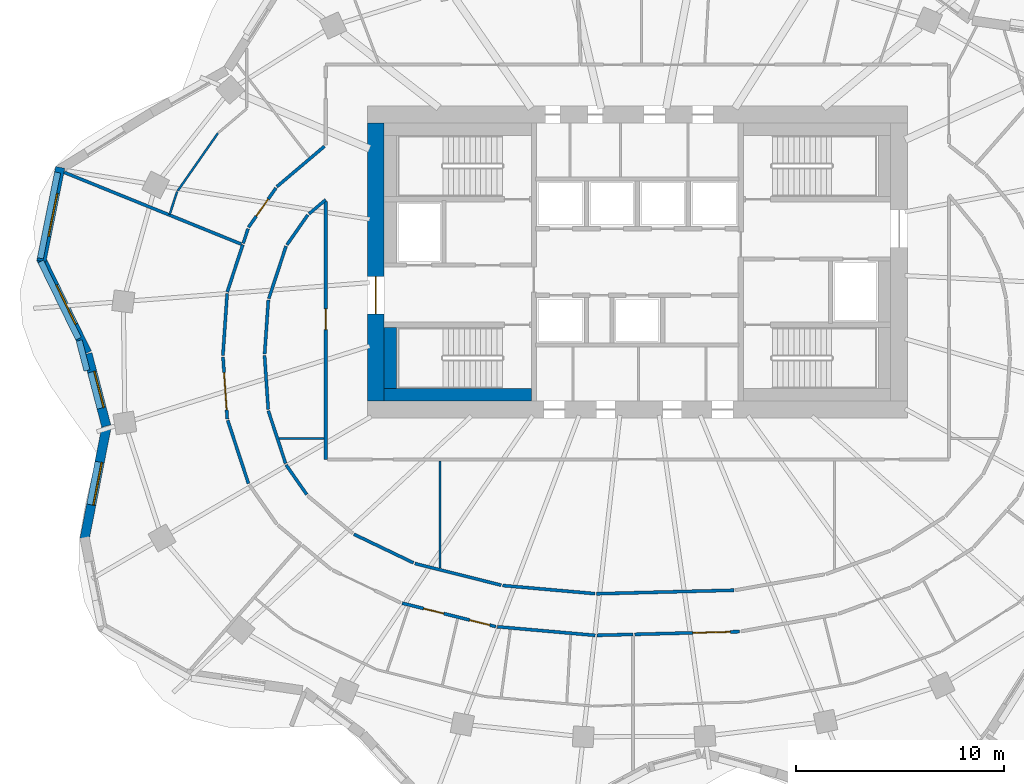
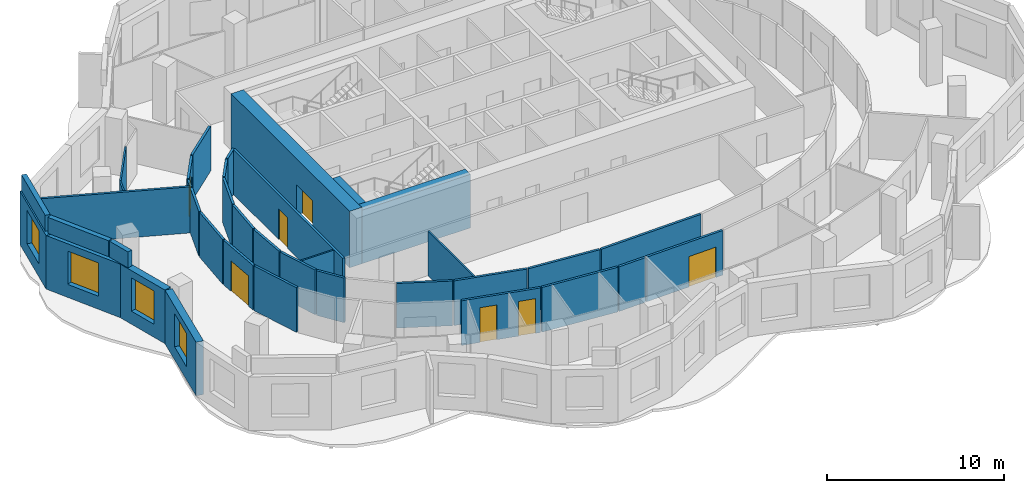
# One storey, part 4 of 11: 38 walls, 7 doors, 4 windows, 11 openings.
"""IFC4 building model written with IfcOpenShell, lengths in metres."""

from ifc_helpers import new_model, si_unit, direction, frame, frame_2d, origin, place, context, subcontext, project, spatial, rectangle, extrude, material, layer, layer_set, type_object, element, fill, save


model = new_model("IFC4")

# Units and contexts
model_context = context("Model", 3, precision=1e-05, world=origin(), true_north=direction((0.0, 1.0)))
body_context = subcontext(model_context, "Body", "Model", "MODEL_VIEW")
ifc_project = project(units=[si_unit("LENGTHUNIT", "METRE"), si_unit("AREAUNIT", "SQUARE_METRE"), si_unit("VOLUMEUNIT", "CUBIC_METRE"), si_unit("PLANEANGLEUNIT", "RADIAN"), si_unit("MASSUNIT", "GRAM", prefix="KILO")], contexts=[model_context])

# Site, building, storey
site_placement = place(None, origin())
site = spatial("IfcSite", under=ifc_project, at=site_placement, CompositionType="ELEMENT")
building_placement = place(site_placement, origin())
building = spatial("IfcBuilding", under=site, at=building_placement, Name="Rubra Terraces Tower", CompositionType="ELEMENT")
storey_placement = place(building_placement, frame((0.0, 0.0, 237.0)))
storey = spatial("IfcBuildingStorey", under=building, at=storey_placement, Name="L58", CompositionType="ELEMENT", Elevation=237.0)

# Wall, opening, window
ifc_material_1 = material(Name="Brick masonry red-brown", Category="masonry")
ifc_layer_1 = layer(ifc_material_1, 0.449951171875)
ifc_layer_set_1 = layer_set([ifc_layer_1], Name="Brick masonry red-brown")
wall_type_1 = type_object("IfcWallType", Name="Brick facade wall 450", PredefinedType="SOLIDWALL", material=ifc_layer_set_1)
wall_1_placement = place(storey_placement, frame((-27.779541015625, 9.053466796875, 0.0), z_axis=(0.0, 0.0, 1.0), x_axis=(-0.197796229105, -0.980243159503, 0.0)))
wall_1 = element("IfcWall", 1, at=wall_1_placement, inside=storey, type_object=wall_type_1, Name="Facade wall L58 bay 19", PredefinedType="SOLIDWALL", context=body_context, shape_type="SweptSolid", body=[
    extrude(rectangle(XDim=4.610107421875, YDim=0.449951171875, at=frame_2d((2.30517578125, 0.0))), origin(), (0.0, 0.0, 1.0), 3.699951171875),
])
opening_1_placement = place(wall_1_placement, frame((1.255126953125, 0.0, 0.89990234375)))
opening_1 = element("IfcOpeningElement", 2, at=opening_1_placement, cuts=wall_1, Name="Opening W1B", PredefinedType="OPENING", context=body_context, shape_type="SweptSolid", body=[
    extrude(rectangle(XDim=2.10009765625, YDim=2.300048828125, at=frame_2d((1.050048828125, 1.14990234375))), frame((0.0, 0.23486328125, 0.0), z_axis=(0.0, -1.0, 0.0), x_axis=(1.0, 0.0, 0.0)), (0.0, 0.0, 1.0), 0.469970703125),
])
ifc_material_2 = material(Name="Clear glass in aluminium frame", Category="aluminium")
window_type_1 = type_object("IfcWindowType", Name="Fixed deep-set window tall storey 2100 x 2300", PartitioningType="SINGLE_PANEL", PredefinedType="WINDOW", material=ifc_material_2)
window_1_placement = place(opening_1_placement, origin())
window_1 = element("IfcWindow", 3, at=window_1_placement, inside=storey, type_object=window_type_1, Name="Window L58 bay 19", OverallHeight=2.300048828125, OverallWidth=2.10009765625, PartitioningType="SINGLE_PANEL", PredefinedType="WINDOW", context=body_context, shape_type="SweptSolid", body=[
    extrude(rectangle(XDim=2.10009765625, YDim=2.300048828125, at=frame_2d((1.050048828125, 1.14990234375))), frame((0.0, 0.135009765625, 0.0), z_axis=(0.0, -1.0, 0.0), x_axis=(1.0, 0.0, 0.0)), (0.0, 0.0, 1.0), 0.06005859375),
])
fill(opening_1, window_1)

wall_2_placement = place(storey_placement, frame((-28.70703125, 4.672119140625, 0.0), z_axis=(0.0, 0.0, 1.0), x_axis=(0.439053549989, -0.898460895221, 0.0)))
wall_2 = element("IfcWall", 4, at=wall_2_placement, inside=storey, type_object=wall_type_1, Name="Facade wall L58 bay 20", PredefinedType="SOLIDWALL", context=body_context, shape_type="SweptSolid", body=[
    extrude(rectangle(XDim=5.061767578125, YDim=0.449951171875, at=frame_2d((2.53076171875, 0.0))), origin(), (0.0, 0.0, 1.0), 3.699951171875),
])
opening_2_placement = place(wall_2_placement, frame((1.48095703125, 0.0, 0.89990234375)))
opening_2 = element("IfcOpeningElement", 5, at=opening_2_placement, cuts=wall_2, Name="Opening W1B", PredefinedType="OPENING", context=body_context, shape_type="SweptSolid", body=[
    extrude(rectangle(XDim=2.10009765625, YDim=2.300048828125, at=frame_2d((1.050048828125, 1.14990234375))), frame((0.0, 0.23486328125, 0.0), z_axis=(0.0, -1.0, 0.0), x_axis=(1.0, 0.0, 0.0)), (0.0, 0.0, 1.0), 0.469970703125),
])
window_2_placement = place(opening_2_placement, origin())
window_2 = element("IfcWindow", 6, at=window_2_placement, inside=storey, type_object=window_type_1, Name="Window L58 bay 20", OverallHeight=2.300048828125, OverallWidth=2.10009765625, PartitioningType="SINGLE_PANEL", PredefinedType="WINDOW", context=body_context, shape_type="SweptSolid", body=[
    extrude(rectangle(XDim=2.10009765625, YDim=2.300048828125, at=frame_2d((1.050048828125, 1.14990234375))), frame((0.0, 0.135009765625, 0.0), z_axis=(0.0, -1.0, 0.0), x_axis=(1.0, 0.0, 0.0)), (0.0, 0.0, 1.0), 0.06005859375),
])
fill(opening_2, window_2)

wall_3_placement = place(storey_placement, frame((-26.469482421875, 0.0791015625, 0.0), z_axis=(0.0, 0.0, 1.0), x_axis=(0.252446779859, -0.967610780913, 0.0)))
wall_3 = element("IfcWall", 7, at=wall_3_placement, inside=storey, type_object=wall_type_1, Name="Facade wall L58 bay 21", PredefinedType="SOLIDWALL", context=body_context, shape_type="SweptSolid", body=[
    extrude(rectangle(XDim=3.5947265625, YDim=0.449951171875, at=frame_2d((1.79736328125, 0.0))), origin(), (0.0, 0.0, 1.0), 3.699951171875),
])
opening_3_placement = place(wall_3_placement, frame((0.897216796875, 0.0, 0.89990234375)))
opening_3 = element("IfcOpeningElement", 8, at=opening_3_placement, cuts=wall_3, Name="Opening W6B", PredefinedType="OPENING", context=body_context, shape_type="SweptSolid", body=[
    extrude(rectangle(XDim=1.800048828125, YDim=2.300048828125, at=frame_2d((0.89990234375, 1.14990234375))), frame((0.0, 0.23486328125, 0.0), z_axis=(0.0, -1.0, 0.0), x_axis=(1.0, 0.0, 0.0)), (0.0, 0.0, 1.0), 0.469970703125),
])
window_type_2 = type_object("IfcWindowType", Name="Fixed deep-set window at wind fin tall storey 1800 x 2300", PartitioningType="SINGLE_PANEL", PredefinedType="WINDOW", material=ifc_material_2)
window_3_placement = place(opening_3_placement, origin())
window_3 = element("IfcWindow", 9, at=window_3_placement, inside=storey, type_object=window_type_2, Name="Window L58 bay 21", OverallHeight=2.300048828125, OverallWidth=1.800048828125, PartitioningType="SINGLE_PANEL", PredefinedType="WINDOW", context=body_context, shape_type="SweptSolid", body=[
    extrude(rectangle(XDim=1.800048828125, YDim=2.300048828125, at=frame_2d((0.89990234375, 1.14990234375))), frame((0.0, 0.135009765625, 0.0), z_axis=(0.0, -1.0, 0.0), x_axis=(1.0, 0.0, 0.0)), (0.0, 0.0, 1.0), 0.06005859375),
])
fill(opening_3, window_3)

wall_4_placement = place(storey_placement, frame((-25.561279296875, -3.490478515625, 0.0), z_axis=(0.0, 0.0, 1.0), x_axis=(-0.192494026297, -0.981298145234, 0.0)))
wall_4 = element("IfcWall", 10, at=wall_4_placement, inside=storey, type_object=wall_type_1, Name="Facade wall L58 bay 22", PredefinedType="SOLIDWALL", context=body_context, shape_type="SweptSolid", body=[
    extrude(rectangle(XDim=5.446044921875, YDim=0.449951171875, at=frame_2d((2.72314453125, 0.0))), origin(), (0.0, 0.0, 1.0), 3.699951171875),
])
opening_4_placement = place(wall_4_placement, frame((1.673095703125, 0.0, 0.89990234375)))
opening_4 = element("IfcOpeningElement", 11, at=opening_4_placement, cuts=wall_4, Name="Opening W1B", PredefinedType="OPENING", context=body_context, shape_type="SweptSolid", body=[
    extrude(rectangle(XDim=2.10009765625, YDim=2.300048828125, at=frame_2d((1.050048828125, 1.14990234375))), frame((0.0, 0.23486328125, 0.0), z_axis=(0.0, -1.0, 0.0), x_axis=(1.0, 0.0, 0.0)), (0.0, 0.0, 1.0), 0.469970703125),
])
window_4_placement = place(opening_4_placement, origin())
window_4 = element("IfcWindow", 12, at=window_4_placement, inside=storey, type_object=window_type_1, Name="Window L58 bay 22", OverallHeight=2.300048828125, OverallWidth=2.10009765625, PartitioningType="SINGLE_PANEL", PredefinedType="WINDOW", context=body_context, shape_type="SweptSolid", body=[
    extrude(rectangle(XDim=2.10009765625, YDim=2.300048828125, at=frame_2d((1.050048828125, 1.14990234375))), frame((0.0, 0.135009765625, 0.0), z_axis=(0.0, -1.0, 0.0), x_axis=(1.0, 0.0, 0.0)), (0.0, 0.0, 1.0), 0.06005859375),
])
fill(opening_4, window_4)

# Walls
ifc_layer_2 = layer(ifc_material_1, 0.300048828125)
ifc_layer_set_2 = layer_set([ifc_layer_2], Name="Brick masonry red-brown")
wall_type_2 = type_object("IfcWallType", Name="Brick parapet 300", PredefinedType="PARAPET", material=ifc_layer_set_2)
wall_5_placement = place(storey_placement, frame((-27.90478515625, 8.8115234375, 3.89990234375), z_axis=(0.0, 0.0, 1.0), x_axis=(-0.197841673862, -0.980233988435, 0.0)))
element("IfcWall", 13, at=wall_5_placement, inside=storey, type_object=wall_type_2, Name="Parapet L58 bay 19", PredefinedType="PARAPET", context=body_context, shape_type="SweptSolid", body=[
    extrude(rectangle(XDim=4.216552734375, YDim=0.300048828125, at=frame_2d((2.1083984375, 0.0))), origin(), (0.0, 0.0, 1.0), 1.10009765625),
])
wall_6_placement = place(storey_placement, frame((-28.719482421875, 4.5263671875, 3.89990234375), z_axis=(0.0, 0.0, 1.0), x_axis=(0.439134033243, -0.898421560765, 0.0)))
element("IfcWall", 14, at=wall_6_placement, inside=storey, type_object=wall_type_2, Name="Parapet L58 bay 20", PredefinedType="PARAPET", context=body_context, shape_type="SweptSolid", body=[
    extrude(rectangle(XDim=4.14306640625, YDim=0.300048828125, at=frame_2d((2.071533203125, 0.0))), origin(), (0.0, 0.0, 1.0), 1.10009765625),
])
wall_7_placement = place(storey_placement, frame((-26.869140625, 0.72021484375, 3.89990234375), z_axis=(0.0, 0.0, 1.0), x_axis=(0.252455198803, -0.967608584396, 0.0)))
element("IfcWall", 15, at=wall_7_placement, inside=storey, type_object=wall_type_2, Name="Parapet L58 bay 21", PredefinedType="PARAPET", context=body_context, shape_type="SweptSolid", body=[
    extrude(rectangle(XDim=1.4921875, YDim=0.300048828125, at=frame_2d((0.74609375, 0.0))), origin(), (0.0, 0.0, 1.0), 1.10009765625),
])

# Wall, opening, door
ifc_material_3 = material(Name="Concrete C50", Category="concrete")
ifc_layer_3 = layer(ifc_material_3, 0.800048828125)
ifc_layer_set_3 = layer_set([ifc_layer_3], Name="Concrete C50")
wall_type_3 = type_object("IfcWallType", Name="CORE WALL 800 C50", PredefinedType="SHEAR", material=ifc_layer_set_3)
wall_8_placement = place(storey_placement, frame((-12.60009765625, -2.199951171875, 0.0), z_axis=(0.0, 0.0, 1.0), x_axis=(0.0, 1.0, 0.0)))
wall_8 = element("IfcWall", 16, at=wall_8_placement, inside=storey, type_object=wall_type_3, Name="CORE WALL W L58", PredefinedType="SHEAR", context=body_context, shape_type="SweptSolid", body=[
    extrude(rectangle(XDim=13.39990234375, YDim=0.800048828125, at=frame_2d((6.699951171875, 0.0))), origin(), (0.0, 0.0, 1.0), 3.89990234375),
])
opening_5_placement = place(wall_8_placement, frame((4.199951171875, 0.0, 0.0)))
opening_5 = element("IfcOpeningElement", 17, at=opening_5_placement, cuts=wall_8, Name="Opening L58.C01", PredefinedType="OPENING", context=body_context, shape_type="SweptSolid", body=[
    extrude(rectangle(XDim=1.800048828125, YDim=2.10009765625, at=frame_2d((0.89990234375, 1.050048828125))), frame((0.0, 0.409912109375, 0.0), z_axis=(0.0, -1.0, 0.0), x_axis=(1.0, 0.0, 0.0)), (0.0, 0.0, 1.0), 0.820068359375),
])
ifc_material_4 = material(Name="Painted steel", Category="steel")
door_type_1 = type_object("IfcDoorType", Name="Fire door 1800x2100 double", OperationType="NOTDEFINED", PredefinedType="DOOR", material=ifc_material_4)
door_1_placement = place(opening_5_placement, origin())
door_1 = element("IfcDoor", 18, at=door_1_placement, inside=storey, type_object=door_type_1, Name="Core entrance door FF1", OperationType="DOUBLE_DOOR_SINGLE_SWING", OverallHeight=2.10009765625, OverallWidth=1.800048828125, PredefinedType="DOOR", context=body_context, shape_type="SweptSolid", body=[
    extrude(rectangle(XDim=1.800048828125, YDim=2.10009765625, at=frame_2d((0.89990234375, 1.050048828125))), frame((0.0, 0.02490234375, 0.0), z_axis=(0.0, -1.0, 0.0), x_axis=(1.0, 0.0, 0.0)), (0.0, 0.0, 1.0), 0.050048828125),
])
fill(opening_5, door_1)

# Walls
ifc_material_5 = material(Name="Plasterboard on steel stud, mineral wool infill", Category="steel")
ifc_layer_4 = layer(ifc_material_5, 0.14990234375)
ifc_layer_set_4 = layer_set([ifc_layer_4], Name="Plasterboard on steel stud, mineral wool infill")
wall_type_4 = type_object("IfcWallType", Name="CORRIDOR PARTITION 150", PredefinedType="PARTITIONING", material=ifc_layer_set_4)
wall_9_placement = place(storey_placement, frame((-18.992431640625, 5.330810546875, 0.0), z_axis=(0.0, 0.0, 1.0), x_axis=(-0.311856589449, -0.950129184699, 0.0)))
element("IfcWall", 19, at=wall_9_placement, inside=storey, type_object=wall_type_4, Name="PARTITION", PredefinedType="PARTITIONING", context=body_context, shape_type="SweptSolid", body=[
    extrude(rectangle(XDim=2.39794921875, YDim=0.14990234375, at=frame_2d((1.198974609375, 0.0))), origin(), (0.0, 0.0, 1.0), 3.083984375),
])
wall_10_placement = place(storey_placement, frame((-19.745361328125, 2.9775390625, 0.0), z_axis=(0.0, 0.0, 1.0), x_axis=(-0.068142324, -0.997675610447, 0.0)))
element("IfcWall", 20, at=wall_10_placement, inside=storey, type_object=wall_type_4, Name="PARTITION", PredefinedType="PARTITIONING", context=body_context, shape_type="SweptSolid", body=[
    extrude(rectangle(XDim=2.984375, YDim=0.14990234375, at=frame_2d((1.4921875, 0.0))), origin(), (0.0, 0.0, 1.0), 3.083984375),
])

# Wall, opening, door
wall_11_placement = place(storey_placement, frame((-19.943603515625, -0.07470703125, 0.0), z_axis=(0.0, 0.0, 1.0), x_axis=(0.068136763128, -0.997675990245, 0.0)))
wall_11 = element("IfcWall", 21, at=wall_11_placement, inside=storey, type_object=wall_type_4, Name="PARTITION", PredefinedType="PARTITIONING", context=body_context, shape_type="SweptSolid", body=[
    extrude(rectangle(XDim=2.984619140625, YDim=0.14990234375, at=frame_2d((1.4921875, 0.0))), origin(), (0.0, 0.0, 1.0), 3.083984375),
])
opening_6_placement = place(wall_11_placement, frame((0.75, 0.0, 0.0)))
opening_6 = element("IfcOpeningElement", 22, at=opening_6_placement, cuts=wall_11, Name="Opening 58-101", PredefinedType="OPENING", context=body_context, shape_type="SweptSolid", body=[
    extrude(rectangle(XDim=1.800048828125, YDim=2.10009765625, at=frame_2d((0.89990234375, 1.050048828125))), frame((0.0, 0.0849609375, 0.0), z_axis=(0.0, -1.0, 0.0), x_axis=(1.0, 0.0, 0.0)), (0.0, 0.0, 1.0), 0.169921875),
])
ifc_material_6 = material(Name="Painted timber door leaf, double", Category="wood")
door_type_2 = type_object("IfcDoorType", Name="ROOM DOUBLE DOOR 1800 X 2100", OperationType="DOUBLE_DOOR_SINGLE_SWING", PredefinedType="DOOR", material=ifc_material_6)
door_2_placement = place(opening_6_placement, origin())
door_2 = element("IfcDoor", 23, at=door_2_placement, inside=storey, type_object=door_type_2, Name="DOOR 58-101", OperationType="DOUBLE_DOOR_SINGLE_SWING", OverallHeight=2.10009765625, OverallWidth=1.800048828125, PredefinedType="DOOR", context=body_context, shape_type="SweptSolid", body=[
    extrude(rectangle(XDim=1.800048828125, YDim=2.10009765625, at=frame_2d((0.89990234375, 1.050048828125))), frame((0.0, 0.02490234375, 0.0), z_axis=(0.0, -1.0, 0.0), x_axis=(1.0, 0.0, 0.0)), (0.0, 0.0, 1.0), 0.050048828125),
])
fill(opening_6, door_2)

# Wall
wall_12_placement = place(storey_placement, frame((-19.716796875, -3.123779296875, 0.0), z_axis=(0.0, 0.0, 1.0), x_axis=(0.31188427026, -0.950120098706, 0.0)))
element("IfcWall", 24, at=wall_12_placement, inside=storey, type_object=wall_type_4, Name="PARTITION", PredefinedType="PARTITIONING", context=body_context, shape_type="SweptSolid", body=[
    extrude(rectangle(XDim=3.206298828125, YDim=0.14990234375, at=frame_2d((1.60302734375, 0.0))), origin(), (0.0, 0.0, 1.0), 3.083984375),
])

# Wall, openings, doors
wall_13_placement = place(storey_placement, frame((-11.318603515625, -11.923095703125, 0.0), z_axis=(0.0, 0.0, 1.0), x_axis=(0.969990815038, -0.243141561114, 0.0)))
wall_13 = element("IfcWall", 25, at=wall_13_placement, inside=storey, type_object=wall_type_4, Name="PARTITION", PredefinedType="PARTITIONING", context=body_context, shape_type="SweptSolid", body=[
    extrude(rectangle(XDim=4.64501953125, YDim=0.14990234375, at=frame_2d((2.322509765625, 0.0))), origin(), (0.0, 0.0, 1.0), 3.083984375),
])
opening_7_placement = place(wall_13_placement, frame((1.06298828125, 0.0, 0.0)))
opening_7 = element("IfcOpeningElement", 26, at=opening_7_placement, cuts=wall_13, Name="Opening 58-104", PredefinedType="OPENING", context=body_context, shape_type="SweptSolid", body=[
    extrude(rectangle(XDim=1.0, YDim=2.39990234375, at=frame_2d((0.5, 1.199951171875))), frame((0.0, 0.0849609375, 0.0), z_axis=(0.0, -1.0, 0.0), x_axis=(1.0, 0.0, 0.0)), (0.0, 0.0, 1.0), 0.169921875),
])
opening_8_placement = place(wall_13_placement, frame((3.344970703125, 0.0, 0.0)))
opening_8 = element("IfcOpeningElement", 27, at=opening_8_placement, cuts=wall_13, Name="Opening 58-105", PredefinedType="OPENING", context=body_context, shape_type="SweptSolid", body=[
    extrude(rectangle(XDim=1.0, YDim=2.39990234375, at=frame_2d((0.5, 1.199951171875))), frame((0.0, 0.0849609375, 0.0), z_axis=(0.0, -1.0, 0.0), x_axis=(1.0, 0.0, 0.0)), (0.0, 0.0, 1.0), 0.169921875),
])
ifc_material_7 = material(Name="Glazed aluminium meeting door leaf", Category="aluminium")
door_type_3 = type_object("IfcDoorType", Name="MEETING ROOM GLAZED DOOR 1000 X 2400", OperationType="SINGLE_SWING_LEFT", PredefinedType="DOOR", material=ifc_material_7)
door_3_placement = place(opening_7_placement, origin())
door_3 = element("IfcDoor", 28, at=door_3_placement, inside=storey, type_object=door_type_3, Name="DOOR 58-104", OperationType="SINGLE_SWING_RIGHT", OverallHeight=2.39990234375, OverallWidth=1.0, PredefinedType="DOOR", context=body_context, shape_type="SweptSolid", body=[
    extrude(rectangle(XDim=1.0, YDim=2.39990234375, at=frame_2d((0.5, 1.199951171875))), frame((0.0, 0.02490234375, 0.0), z_axis=(0.0, -1.0, 0.0), x_axis=(1.0, 0.0, 0.0)), (0.0, 0.0, 1.0), 0.050048828125),
])
fill(opening_7, door_3)
door_4_placement = place(opening_8_placement, origin())
door_4 = element("IfcDoor", 29, at=door_4_placement, inside=storey, type_object=door_type_3, Name="DOOR 58-105", OperationType="SINGLE_SWING_RIGHT", OverallHeight=2.39990234375, OverallWidth=1.0, PredefinedType="DOOR", context=body_context, shape_type="SweptSolid", body=[
    extrude(rectangle(XDim=1.0, YDim=2.39990234375, at=frame_2d((0.5, 1.199951171875))), frame((0.0, 0.02490234375, 0.0), z_axis=(0.0, -1.0, 0.0), x_axis=(1.0, 0.0, 0.0)), (0.0, 0.0, 1.0), 0.050048828125),
])
fill(opening_8, door_4)

# Walls
wall_14_placement = place(storey_placement, frame((-6.73828125, -13.05908203125, 0.0), z_axis=(0.0, 0.0, 1.0), x_axis=(0.996143527037, -0.087738666181, 0.0)))
element("IfcWall", 30, at=wall_14_placement, inside=storey, type_object=wall_type_4, Name="PARTITION", PredefinedType="PARTITIONING", context=body_context, shape_type="SweptSolid", body=[
    extrude(rectangle(XDim=4.73046875, YDim=0.14990234375, at=frame_2d((2.365234375, 0.0))), origin(), (0.0, 0.0, 1.0), 3.083984375),
])
wall_15_placement = place(storey_placement, frame((-1.951171875, -13.472412109375, 0.0), z_axis=(0.0, 0.0, 1.0), x_axis=(0.999660729369, 0.026046615075, 0.0)))
element("IfcWall", 31, at=wall_15_placement, inside=storey, type_object=wall_type_4, Name="PARTITION", PredefinedType="PARTITIONING", context=body_context, shape_type="SweptSolid", body=[
    extrude(rectangle(XDim=1.752685546875, YDim=0.14990234375, at=frame_2d((0.87646484375, 0.0))), origin(), (0.0, 0.0, 1.0), 3.083984375),
])

# Wall, opening, door
wall_16_placement = place(storey_placement, frame((-0.123779296875, -13.4248046875, 0.0), z_axis=(0.0, 0.0, 1.0), x_axis=(0.999665011025, 0.025881764465, 0.0)))
wall_16 = element("IfcWall", 32, at=wall_16_placement, inside=storey, type_object=wall_type_4, Name="PARTITION", PredefinedType="PARTITIONING", context=body_context, shape_type="SweptSolid", body=[
    extrude(rectangle(XDim=5.046630859375, YDim=0.14990234375, at=frame_2d((2.5234375, 0.0))), origin(), (0.0, 0.0, 1.0), 3.083984375),
])
opening_9_placement = place(wall_16_placement, frame((2.800048828125, 0.0, 0.0)))
opening_9 = element("IfcOpeningElement", 33, at=opening_9_placement, cuts=wall_16, Name="Opening 58-108", PredefinedType="OPENING", context=body_context, shape_type="SweptSolid", body=[
    extrude(rectangle(XDim=1.800048828125, YDim=2.10009765625, at=frame_2d((0.89990234375, 1.050048828125))), frame((0.0, 0.0849609375, 0.0), z_axis=(0.0, -1.0, 0.0), x_axis=(1.0, 0.0, 0.0)), (0.0, 0.0, 1.0), 0.169921875),
])
door_5_placement = place(opening_9_placement, origin())
door_5 = element("IfcDoor", 34, at=door_5_placement, inside=storey, type_object=door_type_2, Name="DOOR 58-108", OperationType="DOUBLE_DOOR_SINGLE_SWING", OverallHeight=2.10009765625, OverallWidth=1.800048828125, PredefinedType="DOOR", context=body_context, shape_type="SweptSolid", body=[
    extrude(rectangle(XDim=1.800048828125, YDim=2.10009765625, at=frame_2d((0.89990234375, 1.050048828125))), frame((0.0, 0.02490234375, 0.0), z_axis=(0.0, -1.0, 0.0), x_axis=(1.0, 0.0, 0.0)), (0.0, 0.0, 1.0), 0.050048828125),
])
fill(opening_9, door_5)

# Wall
wall_17_placement = place(storey_placement, frame((-15.05712890625, 10.072998046875, 0.0), z_axis=(0.0, 0.0, 1.0), x_axis=(-0.762398905861, -0.647107339119, 0.0)))
element("IfcWall", 35, at=wall_17_placement, inside=storey, type_object=wall_type_4, Name="PARTITION", PredefinedType="PARTITIONING", context=body_context, shape_type="SweptSolid", body=[
    extrude(rectangle(XDim=3.013427734375, YDim=0.14990234375, at=frame_2d((1.5068359375, 0.0))), origin(), (0.0, 0.0, 1.0), 3.083984375),
])

# Wall, opening, door
wall_18_placement = place(storey_placement, frame((-17.3974609375, 8.0615234375, 0.0), z_axis=(0.0, 0.0, 1.0), x_axis=(-0.572118665737, -0.820170855563, 0.0)))
wall_18 = element("IfcWall", 36, at=wall_18_placement, inside=storey, type_object=wall_type_4, Name="PARTITION", PredefinedType="PARTITIONING", context=body_context, shape_type="SweptSolid", body=[
    extrude(rectangle(XDim=2.30615234375, YDim=0.14990234375, at=frame_2d((1.153076171875, 0.0))), origin(), (0.0, 0.0, 1.0), 3.083984375),
])
opening_10_placement = place(wall_18_placement, frame((0.64990234375, 0.0, 0.0)))
opening_10 = element("IfcOpeningElement", 37, at=opening_10_placement, cuts=wall_18, Name="Opening 58-130", PredefinedType="OPENING", context=body_context, shape_type="SweptSolid", body=[
    extrude(rectangle(XDim=1.0, YDim=2.10009765625, at=frame_2d((0.5, 1.050048828125))), frame((0.0, 0.0849609375, 0.0), z_axis=(0.0, -1.0, 0.0), x_axis=(1.0, 0.0, 0.0)), (0.0, 0.0, 1.0), 0.169921875),
])
ifc_material_8 = material(Name="Painted timber door leaf", Category="wood")
door_type_4 = type_object("IfcDoorType", Name="ROOM DOOR 1000 X 2100", OperationType="SINGLE_SWING_LEFT", PredefinedType="DOOR", material=ifc_material_8)
door_6_placement = place(opening_10_placement, origin())
door_6 = element("IfcDoor", 38, at=door_6_placement, inside=storey, type_object=door_type_4, Name="DOOR 58-130", OperationType="SINGLE_SWING_RIGHT", OverallHeight=2.10009765625, OverallWidth=1.0, PredefinedType="DOOR", context=body_context, shape_type="SweptSolid", body=[
    extrude(rectangle(XDim=1.0, YDim=2.10009765625, at=frame_2d((0.5, 1.050048828125))), frame((0.0, 0.02490234375, 0.0), z_axis=(0.0, -1.0, 0.0), x_axis=(1.0, 0.0, 0.0)), (0.0, 0.0, 1.0), 0.050048828125),
])
fill(opening_10, door_6)

# Walls
wall_19_placement = place(storey_placement, frame((-18.740234375, 6.098876953125, 0.0), z_axis=(0.0, 0.0, 1.0), x_axis=(-0.311930077778, -0.95010506081, 0.0)))
element("IfcWall", 39, at=wall_19_placement, inside=storey, type_object=wall_type_4, Name="PARTITION", PredefinedType="PARTITIONING", context=body_context, shape_type="SweptSolid", body=[
    extrude(rectangle(XDim=0.7333984375, YDim=0.14990234375, at=frame_2d((0.36669921875, 0.0))), origin(), (0.0, 0.0, 1.0), 3.083984375),
])
wall_20_placement = place(storey_placement, frame((4.64453125, -11.30078125, 0.0), z_axis=(0.0, 0.0, 1.0), x_axis=(-0.9996648469, -0.02588810291, 0.0)))
element("IfcWall", 40, at=wall_20_placement, inside=storey, type_object=wall_type_4, Name="PARTITION", PredefinedType="PARTITIONING", context=body_context, shape_type="SweptSolid", body=[
    extrude(rectangle(XDim=6.61083984375, YDim=0.14990234375, at=frame_2d((3.305419921875, 0.0))), origin(), (0.0, 0.0, 1.0), 3.083984375),
])
wall_21_placement = place(storey_placement, frame((-2.038818359375, -11.46533203125, 0.0), z_axis=(0.0, 0.0, 1.0), x_axis=(-0.996139855484, 0.087780341286, 0.0)))
element("IfcWall", 41, at=wall_21_placement, inside=storey, type_object=wall_type_4, Name="PARTITION", PredefinedType="PARTITIONING", context=body_context, shape_type="SweptSolid", body=[
    extrude(rectangle(XDim=4.458251953125, YDim=0.14990234375, at=frame_2d((2.22900390625, 0.0))), origin(), (0.0, 0.0, 1.0), 3.083984375),
])
wall_22_placement = place(storey_placement, frame((-6.552734375, -11.055908203125, 0.0), z_axis=(0.0, 0.0, 1.0), x_axis=(-0.970004917182, 0.243085294995, 0.0)))
element("IfcWall", 42, at=wall_22_placement, inside=storey, type_object=wall_type_4, Name="PARTITION", PredefinedType="PARTITIONING", context=body_context, shape_type="SweptSolid", body=[
    extrude(rectangle(XDim=4.284423828125, YDim=0.14990234375, at=frame_2d((2.14208984375, 0.0))), origin(), (0.0, 0.0, 1.0), 3.083984375),
])
wall_23_placement = place(storey_placement, frame((-10.7763671875, -9.981689453125, 0.0), z_axis=(0.0, 0.0, 1.0), x_axis=(-0.901511079436, 0.432756020933, 0.0)))
element("IfcWall", 43, at=wall_23_placement, inside=storey, type_object=wall_type_4, Name="PARTITION", PredefinedType="PARTITIONING", context=body_context, shape_type="SweptSolid", body=[
    extrude(rectangle(XDim=3.1806640625, YDim=0.14990234375, at=frame_2d((1.59033203125, 0.0))), origin(), (0.0, 0.0, 1.0), 3.083984375),
])
wall_24_placement = place(storey_placement, frame((-15.911865234375, -6.695556640625, 0.0), z_axis=(0.0, 0.0, 1.0), x_axis=(-0.572078533763, 0.820198848578, 0.0)))
element("IfcWall", 44, at=wall_24_placement, inside=storey, type_object=wall_type_4, Name="PARTITION", PredefinedType="PARTITIONING", context=body_context, shape_type="SweptSolid", body=[
    extrude(rectangle(XDim=1.74169921875, YDim=0.14990234375, at=frame_2d((0.870849609375, 0.0))), origin(), (0.0, 0.0, 1.0), 3.083984375),
])
wall_25_placement = place(storey_placement, frame((-16.931640625, -5.19580078125, 0.0), z_axis=(0.0, 0.0, 1.0), x_axis=(-0.311904957484, 0.950113307715, 0.0)))
element("IfcWall", 45, at=wall_25_placement, inside=storey, type_object=wall_type_4, Name="PARTITION", PredefinedType="PARTITIONING", context=body_context, shape_type="SweptSolid", body=[
    extrude(rectangle(XDim=2.662109375, YDim=0.14990234375, at=frame_2d((1.3310546875, 0.0))), origin(), (0.0, 0.0, 1.0), 3.083984375),
])
wall_26_placement = place(storey_placement, frame((-17.76708984375, -2.591552734375, 0.0), z_axis=(0.0, 0.0, 1.0), x_axis=(-0.068140828228, 0.997675712608, 0.0)))
element("IfcWall", 46, at=wall_26_placement, inside=storey, type_object=wall_type_4, Name="PARTITION", PredefinedType="PARTITIONING", context=body_context, shape_type="SweptSolid", body=[
    extrude(rectangle(XDim=2.59765625, YDim=0.14990234375, at=frame_2d((1.298828125, 0.0))), origin(), (0.0, 0.0, 1.0), 3.083984375),
])
wall_27_placement = place(storey_placement, frame((-17.939208984375, 0.07470703125, 0.0), z_axis=(0.0, 0.0, 1.0), x_axis=(0.068227980697, 0.997669756307, 0.0)))
element("IfcWall", 47, at=wall_27_placement, inside=storey, type_object=wall_type_4, Name="PARTITION", PredefinedType="PARTITIONING", context=body_context, shape_type="SweptSolid", body=[
    extrude(rectangle(XDim=2.597900390625, YDim=0.14990234375, at=frame_2d((1.298828125, 0.0))), origin(), (0.0, 0.0, 1.0), 3.083984375),
])
wall_28_placement = place(storey_placement, frame((-17.738525390625, 2.73779296875, 0.0), z_axis=(0.0, 0.0, 1.0), x_axis=(0.311904957484, 0.950113307715, 0.0)))
element("IfcWall", 48, at=wall_28_placement, inside=storey, type_object=wall_type_4, Name="PARTITION", PredefinedType="PARTITIONING", context=body_context, shape_type="SweptSolid", body=[
    extrude(rectangle(XDim=2.662109375, YDim=0.14990234375, at=frame_2d((1.3310546875, 0.0))), origin(), (0.0, 0.0, 1.0), 3.083984375),
])
wall_29_placement = place(storey_placement, frame((-16.865478515625, 5.32861328125, 0.0), z_axis=(0.0, 0.0, 1.0), x_axis=(0.572096615639, 0.820186236397, 0.0)))
element("IfcWall", 49, at=wall_29_placement, inside=storey, type_object=wall_type_4, Name="PARTITION", PredefinedType="PARTITIONING", context=body_context, shape_type="SweptSolid", body=[
    extrude(rectangle(XDim=1.752685546875, YDim=0.14990234375, at=frame_2d((0.87646484375, 0.0))), origin(), (0.0, 0.0, 1.0), 3.083984375),
])
wall_30_placement = place(storey_placement, frame((-15.805419921875, 6.814453125, 0.0), z_axis=(0.0, 0.0, 1.0), x_axis=(0.762298381233, 0.647225755027, 0.0)))
element("IfcWall", 50, at=wall_30_placement, inside=storey, type_object=wall_type_4, Name="PARTITION", PredefinedType="PARTITIONING", context=body_context, shape_type="SweptSolid", body=[
    extrude(rectangle(XDim=1.056640625, YDim=0.14990234375, at=frame_2d((0.5283203125, 0.0))), origin(), (0.0, 0.0, 1.0), 3.083984375),
])

# Wall, opening, door
wall_31_placement = place(storey_placement, frame((-15.0, 7.423095703125, 0.0), z_axis=(0.0, 0.0, 1.0), x_axis=(0.0, -1.0, 0.0)))
wall_31 = element("IfcWall", 51, at=wall_31_placement, inside=storey, type_object=wall_type_4, Name="PARTITION", PredefinedType="PARTITIONING", context=body_context, shape_type="SweptSolid", body=[
    extrude(rectangle(XDim=12.423095703125, YDim=0.14990234375, at=frame_2d((6.21142578125, 0.0))), origin(), (0.0, 0.0, 1.0), 3.083984375),
])
opening_11_placement = place(wall_31_placement, frame((5.174072265625, 0.0, 0.0)))
opening_11 = element("IfcOpeningElement", 52, at=opening_11_placement, cuts=wall_31, Name="Opening 58-119", PredefinedType="OPENING", context=body_context, shape_type="SweptSolid", body=[
    extrude(rectangle(XDim=1.0, YDim=2.10009765625, at=frame_2d((0.5, 1.050048828125))), frame((0.0, 0.0849609375, 0.0), z_axis=(0.0, -1.0, 0.0), x_axis=(1.0, 0.0, 0.0)), (0.0, 0.0, 1.0), 0.169921875),
])
door_7_placement = place(opening_11_placement, origin())
door_7 = element("IfcDoor", 53, at=door_7_placement, inside=storey, type_object=door_type_4, Name="DOOR 58-119", OperationType="SINGLE_SWING_RIGHT", OverallHeight=2.10009765625, OverallWidth=1.0, PredefinedType="DOOR", context=body_context, shape_type="SweptSolid", body=[
    extrude(rectangle(XDim=1.0, YDim=2.10009765625, at=frame_2d((0.5, 1.050048828125))), frame((0.0, 0.02490234375, 0.0), z_axis=(0.0, -1.0, 0.0), x_axis=(1.0, 0.0, 0.0)), (0.0, 0.0, 1.0), 0.050048828125),
])
fill(opening_11, door_7)

# Walls
ifc_material_9 = material(Name="Concrete C40", Category="concrete")
ifc_layer_5 = layer(ifc_material_9, 0.60009765625)
ifc_layer_set_5 = layer_set([ifc_layer_5], Name="Concrete C40")
wall_type_5 = type_object("IfcWallType", Name="Core lining wall 600 concrete", PredefinedType="SOLIDWALL", material=ifc_layer_set_5)
wall_32_placement = place(storey_placement, frame((-12.199951171875, -1.89990234375, 0.0), z_axis=(0.0, 0.0, 1.0), x_axis=(1.0, 0.0, 0.0)))
element("IfcWall", 54, at=wall_32_placement, inside=storey, type_object=wall_type_5, Name="CORE LINING WALL L58", PredefinedType="SOLIDWALL", context=body_context, shape_type="SweptSolid", body=[
    extrude(rectangle(XDim=7.099853515625, YDim=0.60009765625, at=frame_2d((3.5498046875, 0.0))), origin(), (0.0, 0.0, 1.0), 3.699951171875),
])
wall_33_placement = place(storey_placement, frame((-11.89990234375, -1.60009765625, 0.0), z_axis=(0.0, 0.0, 1.0), x_axis=(0.0, 1.0, 0.0)))
element("IfcWall", 55, at=wall_33_placement, inside=storey, type_object=wall_type_5, Name="CORE LINING WALL L58", PredefinedType="SOLIDWALL", context=body_context, shape_type="SweptSolid", body=[
    extrude(rectangle(XDim=2.9501953125, YDim=0.60009765625, at=frame_2d((1.47509765625, 0.0))), origin(), (0.0, 0.0, 1.0), 3.699951171875),
])
ifc_material_10 = material(Name="Plasterboard on steel stud", Category="steel")
ifc_layer_6 = layer(ifc_material_10, 0.10009765625)
ifc_layer_set_6 = layer_set([ifc_layer_6], Name="Plasterboard on steel stud")
wall_type_6 = type_object("IfcWallType", Name="ROOM PARTITION 100", PredefinedType="PARTITIONING", material=ifc_layer_set_6)
wall_34_placement = place(storey_placement, frame((-22.51611328125, 6.7802734375, 0.0), z_axis=(0.0, 0.0, 1.0), x_axis=(0.31194500702, 0.950100159244, 0.0)))
element("IfcWall", 56, at=wall_34_placement, inside=storey, type_object=wall_type_6, Name="PARTITION", PredefinedType="PARTITIONING", context=body_context, shape_type="SweptSolid", body=[
    extrude(rectangle(XDim=1.163818359375, YDim=0.10009765625, at=frame_2d((0.58203125, 0.0))), origin(), (0.0, 0.0, 1.0), 3.083984375),
])
wall_35_placement = place(storey_placement, frame((-22.12451171875, 7.927001953125, 0.0), z_axis=(0.0, 0.0, 1.0), x_axis=(0.572100301866, 0.820183665166, 0.0)))
element("IfcWall", 57, at=wall_35_placement, inside=storey, type_object=wall_type_6, Name="PARTITION", PredefinedType="PARTITIONING", context=body_context, shape_type="SweptSolid", body=[
    extrude(rectangle(XDim=3.38232421875, YDim=0.10009765625, at=frame_2d((1.691162109375, 0.0))), origin(), (0.0, 0.0, 1.0), 3.083984375),
])
wall_36_placement = place(storey_placement, frame((-9.5, -10.2421875, 0.0), z_axis=(0.0, 0.0, 1.0), x_axis=(0.0, 1.0, 0.0)))
element("IfcWall", 58, at=wall_36_placement, inside=storey, type_object=wall_type_6, Name="PARTITION", PredefinedType="PARTITIONING", context=body_context, shape_type="SweptSolid", body=[
    extrude(rectangle(XDim=5.167236328125, YDim=0.10009765625, at=frame_2d((2.58349609375, 0.0))), origin(), (0.0, 0.0, 1.0), 3.083984375),
])
wall_37_placement = place(storey_placement, frame((-17.249267578125, -4.0, 0.0), z_axis=(0.0, 0.0, 1.0), x_axis=(1.0, 0.0, 0.0)))
element("IfcWall", 59, at=wall_37_placement, inside=storey, type_object=wall_type_6, Name="PARTITION", PredefinedType="PARTITIONING", context=body_context, shape_type="SweptSolid", body=[
    extrude(rectangle(XDim=2.17431640625, YDim=0.10009765625, at=frame_2d((1.087158203125, 0.0))), origin(), (0.0, 0.0, 1.0), 3.083984375),
])
ifc_layer_7 = layer(ifc_material_10, 0.14990234375)
ifc_layer_set_7 = layer_set([ifc_layer_7], Name="Plasterboard on steel stud")
wall_type_7 = type_object("IfcWallType", Name="ROOM PARTITION 150", PredefinedType="PARTITIONING", material=ifc_layer_set_7)
wall_38_placement = place(storey_placement, frame((-27.5927734375, 8.816162109375, 0.0), z_axis=(0.0, 0.0, 1.0), x_axis=(0.926782441749, -0.375598596463, 0.0)))
element("IfcWall", 60, at=wall_38_placement, inside=storey, type_object=wall_type_7, Name="PARTITION", PredefinedType="PARTITIONING", context=body_context, shape_type="SweptSolid", body=[
    extrude(rectangle(XDim=9.20458984375, YDim=0.14990234375, at=frame_2d((4.602294921875, 0.0))), origin(), (0.0, 0.0, 1.0), 3.18408203125),
])

save(model, "model.ifc")
